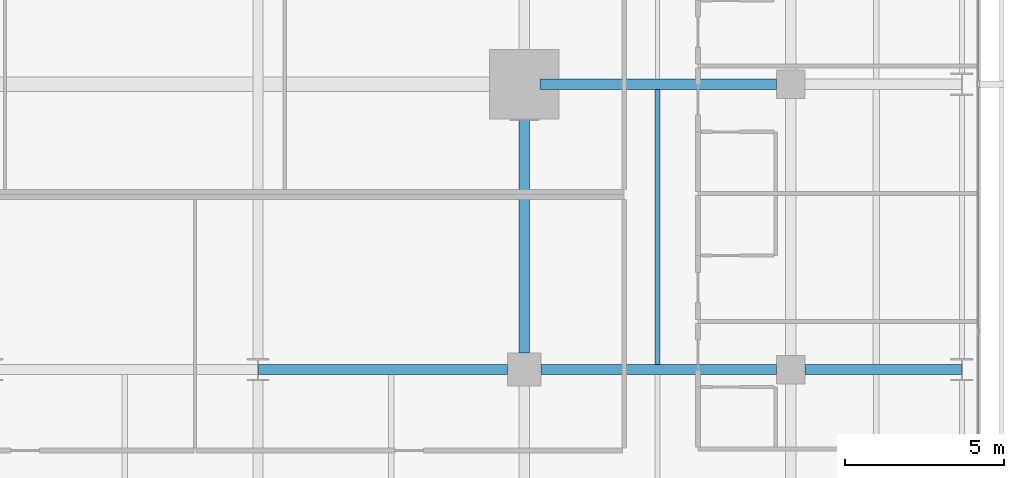
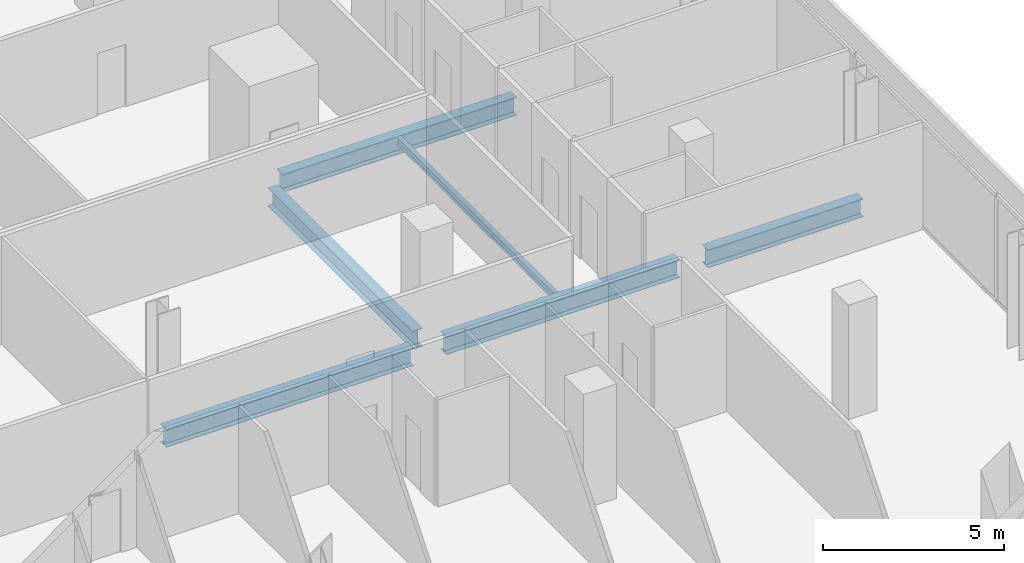
# One storey, part 18 of 40: 6 beams.
"""IFC4 building model written with IfcOpenShell, lengths in metres."""

from ifc_helpers import new_model, si_unit, direction, frame, origin, origin_2d, place, context, subcontext, project, spatial, i_section, extrude, material, material_profile, profile_set, type_object, element, save


model = new_model("IFC4")

# Units and contexts
model_context = context("Model", 3, precision=1e-05, world=origin(), true_north=direction((0.0, 1.0)))
body_context = subcontext(model_context, "Body", "Model", "MODEL_VIEW")
ifc_project = project(units=[si_unit("LENGTHUNIT", "METRE"), si_unit("AREAUNIT", "SQUARE_METRE"), si_unit("VOLUMEUNIT", "CUBIC_METRE"), si_unit("PLANEANGLEUNIT", "RADIAN"), si_unit("MASSUNIT", "GRAM", prefix="KILO")], contexts=[model_context])

# Site, building, storey
site_placement = place(None, origin())
site = spatial("IfcSite", under=ifc_project, at=site_placement, CompositionType="ELEMENT")
building_placement = place(site_placement, origin())
building = spatial("IfcBuilding", under=site, at=building_placement, Name="Maruvema Waterfront Hotel and Observation Tower", CompositionType="ELEMENT")
storey_placement = place(building_placement, frame((0.0, 0.0, 80.85009765625)))
storey = spatial("IfcBuildingStorey", under=building, at=storey_placement, Name="L19", CompositionType="ELEMENT", Elevation=80.85009765625)

# Beams
ifc_material_1 = material(Name="Steel ASTM A572 Grade 50", Category="steel")
ifc_material_profile_1 = material_profile(ifc_material_1, i_section(OverallWidth=0.323974609375, OverallDepth=0.611083984375, WebThickness=0.0126953125, FlangeThickness=0.01904296875, FilletRadius=0.01806640625, at=origin_2d()), Name="W610x155.0")
ifc_profile_set_1 = profile_set([ifc_material_profile_1], Name="Steel ASTM A572 Grade 50")
beam_type_1 = type_object("IfcBeamType", Name="Primary Floor Girder W610x155.0", PredefinedType="BEAM", material=ifc_profile_set_1)
beam_1_placement = place(storey_placement, frame((42.013916015625, 18.0, -0.545654296875), z_axis=(1.0, 0.0, 0.0), x_axis=(0.0, 1.0, 0.0)))
element("IfcBeam", 1, at=beam_1_placement, inside=storey, type_object=beam_type_1, Name="L19 Floor Girder EW-17", PredefinedType="BEAM", context=body_context, shape_type="SweptSolid", body=[
    extrude(i_section(OverallWidth=0.323974609375, OverallDepth=0.611083984375, WebThickness=0.0126953125, FlangeThickness=0.01904296875, FilletRadius=0.01806640625, at=origin_2d()), origin(), (0.0, 0.0, 1.0), 7.861083984375),
])
beam_2_placement = place(storey_placement, frame((50.925048828125, 18.0, -0.545654296875), z_axis=(1.0, 0.0, 0.0), x_axis=(0.0, 1.0, 0.0)))
element("IfcBeam", 2, at=beam_2_placement, inside=storey, type_object=beam_type_1, Name="L19 Floor Girder EW-18", PredefinedType="BEAM", context=body_context, shape_type="SweptSolid", body=[
    extrude(i_section(OverallWidth=0.323974609375, OverallDepth=0.611083984375, WebThickness=0.0126953125, FlangeThickness=0.01904296875, FilletRadius=0.01806640625, at=origin_2d()), origin(), (0.0, 0.0, 1.0), 7.425048828125),
])
beam_3_placement = place(storey_placement, frame((59.25, 18.0, -0.545654296875), z_axis=(1.0, 0.0, 0.0), x_axis=(0.0, 1.0, 0.0)))
element("IfcBeam", 3, at=beam_3_placement, inside=storey, type_object=beam_type_1, Name="L19 Floor Girder EW-19", PredefinedType="BEAM", context=body_context, shape_type="SweptSolid", body=[
    extrude(i_section(OverallWidth=0.323974609375, OverallDepth=0.611083984375, WebThickness=0.0126953125, FlangeThickness=0.01904296875, FilletRadius=0.01806640625, at=origin_2d()), origin(), (0.0, 0.0, 1.0), 4.93603515625),
])
beam_4_placement = place(storey_placement, frame((50.89990234375, 27.0, -0.545654296875), z_axis=(1.0, 0.0, 0.0), x_axis=(0.0, 1.0, 0.0)))
element("IfcBeam", 4, at=beam_4_placement, inside=storey, type_object=beam_type_1, Name="L19 Floor Girder EW-23", PredefinedType="BEAM", context=body_context, shape_type="SweptSolid", body=[
    extrude(i_section(OverallWidth=0.323974609375, OverallDepth=0.611083984375, WebThickness=0.0126953125, FlangeThickness=0.01904296875, FilletRadius=0.01806640625, at=origin_2d()), origin(), (0.0, 0.0, 1.0), 7.4501953125),
])
beam_5_placement = place(storey_placement, frame((50.39990234375, 18.52490234375, -0.545654296875), z_axis=(0.0, 1.0, 0.0), x_axis=(-1.0, 0.0, 0.0)))
element("IfcBeam", 5, at=beam_5_placement, inside=storey, type_object=beam_type_1, Name="L19 Floor Girder NS-24", PredefinedType="BEAM", context=body_context, shape_type="SweptSolid", body=[
    extrude(i_section(OverallWidth=0.323974609375, OverallDepth=0.611083984375, WebThickness=0.0126953125, FlangeThickness=0.01904296875, FilletRadius=0.01806640625, at=origin_2d()), origin(), (0.0, 0.0, 1.0), 7.97509765625),
])
ifc_material_2 = material(Name="Steel ASTM A572 Grade 50", Category="steel")
ifc_material_profile_2 = material_profile(ifc_material_2, i_section(OverallWidth=0.14599609375, OverallDepth=0.258056640625, WebThickness=0.006103515625, FlangeThickness=0.009033203125, FilletRadius=0.012939453125, at=origin_2d()), Name="W250x32.7")
ifc_profile_set_2 = profile_set([ifc_material_profile_2], Name="Steel ASTM A572 Grade 50")
beam_type_2 = type_object("IfcBeamType", Name="Secondary Floor Joist W250x32.7", PredefinedType="JOIST", material=ifc_profile_set_2)
beam_6_placement = place(storey_placement, frame((54.60009765625, 18.162109375, -0.369140625), z_axis=(0.0, 1.0, 0.0), x_axis=(-1.0, 0.0, 0.0)))
element("IfcBeam", 6, at=beam_6_placement, inside=storey, type_object=beam_type_2, Name="L19 Secondary Floor Joist JS-18", PredefinedType="JOIST", context=body_context, shape_type="SweptSolid", body=[
    extrude(i_section(OverallWidth=0.14599609375, OverallDepth=0.258056640625, WebThickness=0.006103515625, FlangeThickness=0.009033203125, FilletRadius=0.012939453125, at=origin_2d()), origin(), (0.0, 0.0, 1.0), 8.67578125),
])

save(model, "model.ifc")
